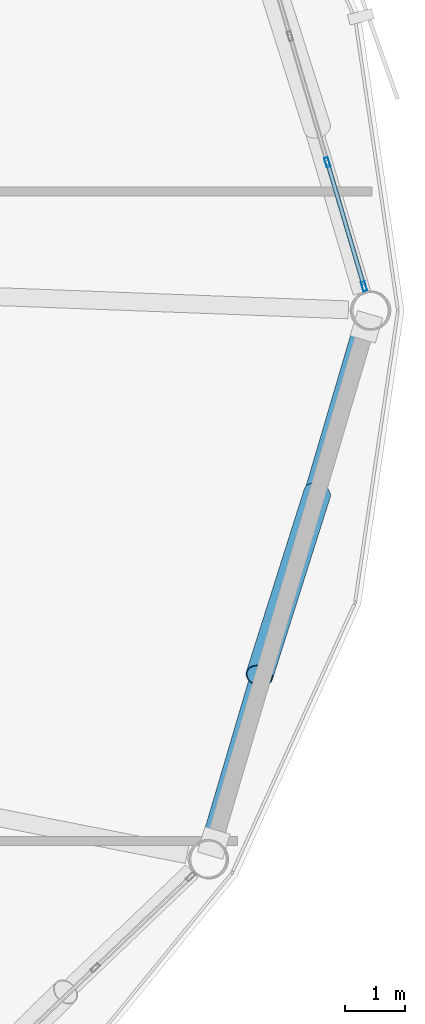
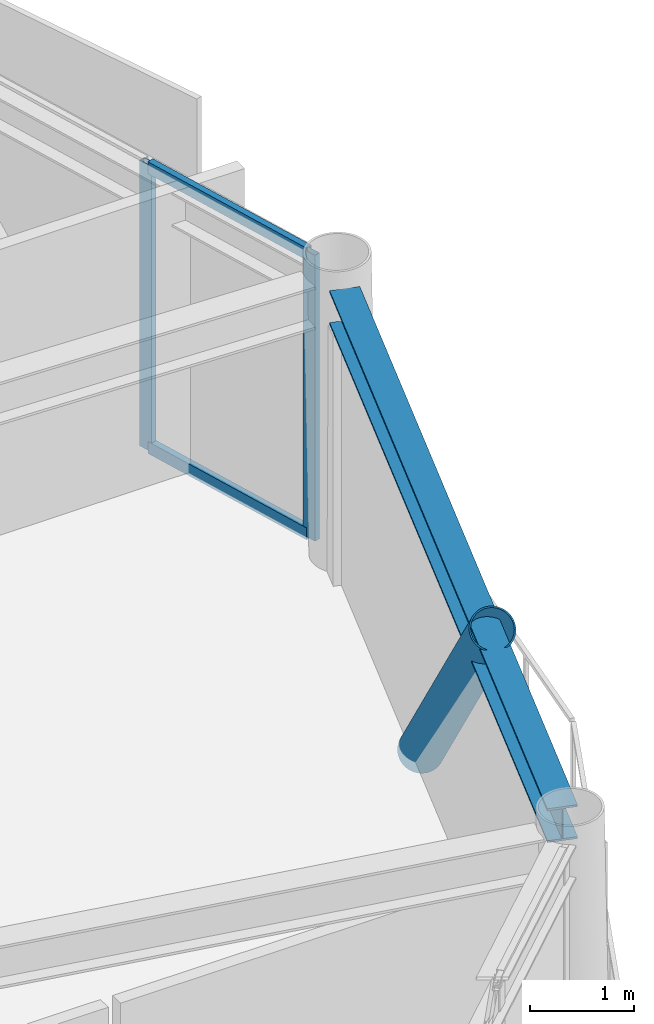
# One storey, part 16 of 28: 5 members, 1 beam, 1 element without a shape of its own.
"""IFC4 building model written with IfcOpenShell, lengths in metres."""

from ifc_helpers import new_model, si_unit, direction, frame, origin, origin_2d, place, context, subcontext, project, spatial, hollow_rectangle, hollow_circle, i_section, extrude, material, layer, layer_set, material_profile, profile_set, type_object, element, aggregate, save


model = new_model("IFC4")

# Units and contexts
model_context = context("Model", 3, precision=1e-05, world=origin(), true_north=direction((0.0, 1.0)))
body_context = subcontext(model_context, "Body", "Model", "MODEL_VIEW")
ifc_project = project(units=[si_unit("LENGTHUNIT", "METRE"), si_unit("AREAUNIT", "SQUARE_METRE"), si_unit("VOLUMEUNIT", "CUBIC_METRE"), si_unit("PLANEANGLEUNIT", "RADIAN"), si_unit("MASSUNIT", "GRAM", prefix="KILO")], contexts=[model_context])

# Site, building, storey
site_placement = place(None, origin())
site = spatial("IfcSite", under=ifc_project, at=site_placement, CompositionType="ELEMENT")
building_placement = place(site_placement, origin())
building = spatial("IfcBuilding", under=site, at=building_placement, Name="Varnakorn Sky Granary", CompositionType="ELEMENT")
storey_placement = place(building_placement, frame((0.0, 0.0, 196.800048828125)))
storey = spatial("IfcBuildingStorey", under=building, at=storey_placement, Name="L49", CompositionType="ELEMENT", Elevation=196.800048828125)

# Beam
ifc_material_1 = material(Name="Steel S355JR", Category="steel")
ifc_material_profile_1 = material_profile(ifc_material_1, i_section(OverallWidth=0.300048828125, OverallDepth=0.39990234375, WebThickness=0.013427734375, FlangeThickness=0.02392578125, at=origin_2d()), Name="HE 400 B")
ifc_profile_set_1 = profile_set([ifc_material_profile_1], Name="Steel S355JR")
beam_type = type_object("IfcBeamType", Name="BM-SPD-Z4", PredefinedType="SPANDREL", material=ifc_profile_set_1)
beam_placement = place(storey_placement, frame((21.602294921875, -8.886962890625, 3.159912109375), z_axis=(0.283136334563, 0.959079671378, 0.0), x_axis=(-0.959079671378, 0.283136334563, 0.0)))
element("IfcBeam", 1, at=beam_placement, inside=storey, type_object=beam_type, Name="Perimeter Spandrel Ring Beam RB12 L49", PredefinedType="SPANDREL", context=body_context, shape_type="SweptSolid", body=[
    extrude(i_section(OverallWidth=0.300048828125, OverallDepth=0.39990234375, WebThickness=0.013427734375, FlangeThickness=0.02392578125, at=origin_2d()), origin(), (0.0, 0.0, 1.0), 8.951171875),
])

# Curtain wall, members
ifc_material_2 = material(Name="Anodised Bronze Aluminium Alloy 6063-T6", Category="aluminium")
ifc_layer = layer(ifc_material_2, 0.169921875, Name="Anodised Bronze Aluminium Alloy 6063-T6")
ifc_layer_set = layer_set([ifc_layer], Name="Anodised Bronze Aluminium Alloy 6063-T6")
curtain_wall_type = type_object("IfcCurtainWallType", Name="CW-LAB-1", PredefinedType="USERDEFINED", material=ifc_layer_set)
curtain_wall_placement = place(storey_placement, origin())
curtain_wall = element("IfcCurtainWall", 2, at=curtain_wall_placement, inside=storey, type_object=curtain_wall_type, Name="Unitised Curtain Wall CW5 CW-L49-B01", ObjectType="CURTAIN WALL", PredefinedType="USERDEFINED")
ifc_material_profile_2 = material_profile(ifc_material_2, hollow_rectangle(XDim=0.06494140625, YDim=0.159912109375, WallThickness=0.00341796875, at=origin_2d()), Name="ALU MULL 65x160")
ifc_profile_set_2 = profile_set([ifc_material_profile_2], Name="Anodised Bronze Aluminium Alloy 6063-T6")
member_type_1 = type_object("IfcMemberType", Name="CW-LAB-1-MULL", PredefinedType="MULLION", material=ifc_profile_set_2)
member_1_placement = place(storey_placement, frame((23.55810546875, 2.488525390625, 0.0), z_axis=(0.0, 0.0, 1.0), x_axis=(0.958963914964, 0.283528146394, 0.0)))
member_1 = element("IfcMember", 3, at=member_1_placement, type_object=member_type_1, Name="CW5 mullion 4", PredefinedType="MULLION", context=body_context, shape_type="SweptSolid", body=[
    extrude(hollow_rectangle(XDim=0.06494140625, YDim=0.159912109375, WallThickness=0.00341796875, at=origin_2d()), origin(), (0.0, 0.0, 1.0), 3.35986328125),
])
member_2_placement = place(storey_placement, frame((24.174072265625, 0.4052734375, 0.0), z_axis=(0.0, 0.0, 1.0), x_axis=(0.958963914964, 0.283528146394, 0.0)))
member_2 = element("IfcMember", 4, at=member_2_placement, type_object=member_type_1, Name="CW5 mullion 5", PredefinedType="MULLION", context=body_context, shape_type="SweptSolid", body=[
    extrude(hollow_rectangle(XDim=0.06494140625, YDim=0.159912109375, WallThickness=0.00341796875, at=origin_2d()), origin(), (0.0, 0.0, 1.0), 3.35986328125),
])
ifc_material_profile_3 = material_profile(ifc_material_2, hollow_rectangle(XDim=0.070068359375, YDim=0.139892578125, WallThickness=0.00341796875, at=origin_2d()), Name="ALU TRAN 70x140")
ifc_profile_set_3 = profile_set([ifc_material_profile_3], Name="Anodised Bronze Aluminium Alloy 6063-T6")
member_type_2 = type_object("IfcMemberType", Name="CW-LAB-1-TRAN", PredefinedType="USERDEFINED", material=ifc_profile_set_3)
member_3_placement = place(storey_placement, frame((23.5673828125, 2.457275390625, 0.034912109375), z_axis=(0.283583431444, -0.958947567602, 0.0), x_axis=(0.958947567602, 0.283583431444, 0.0)))
member_3 = element("IfcMember", 5, at=member_3_placement, type_object=member_type_2, Name="CW5 transom 4.1", ObjectType="TRANSOM", PredefinedType="USERDEFINED", context=body_context, shape_type="SweptSolid", body=[
    extrude(hollow_rectangle(XDim=0.070068359375, YDim=0.139892578125, WallThickness=0.00341796875, at=origin_2d()), origin(), (0.0, 0.0, 1.0), 2.107421875),
])
member_4_placement = place(storey_placement, frame((23.5673828125, 2.457275390625, 3.324951171875), z_axis=(0.283583431444, -0.958947567602, 0.0), x_axis=(0.958947567602, 0.283583431444, 0.0)))
member_4 = element("IfcMember", 6, at=member_4_placement, type_object=member_type_2, Name="CW5 transom 4.2", ObjectType="TRANSOM", PredefinedType="USERDEFINED", context=body_context, shape_type="SweptSolid", body=[
    extrude(hollow_rectangle(XDim=0.070068359375, YDim=0.139892578125, WallThickness=0.00341796875, at=origin_2d()), origin(), (0.0, 0.0, 1.0), 2.107421875),
])
aggregate(curtain_wall, [member_1, member_2, member_3, member_4])

# Member
ifc_material_3 = material(Name="Steel S460M", Category="steel")
ifc_material_profile_4 = material_profile(ifc_material_3, hollow_circle(Radius=0.228515625, WallThickness=0.01611328125, at=origin_2d()), Name="CHS 457x16")
ifc_profile_set_4 = profile_set([ifc_material_profile_4], Name="Steel S460M")
member_type_3 = type_object("IfcMemberType", Name="MB-DIAG-T3", PredefinedType="BRACE", material=ifc_profile_set_4)
member_5_placement = place(storey_placement, frame((23.38671875, -3.068603515625, -0.130126953125), z_axis=(-0.200398752192, -0.63213943922, 0.748491863351), x_axis=(0.95324614839, -0.302194938043, 0.0)))
element("IfcMember", 7, at=member_5_placement, inside=storey, type_object=member_type_3, Name="Perimeter CHS Diagrid Brace DG12 L49", PredefinedType="BRACE", context=body_context, shape_type="SweptSolid", body=[
    extrude(hollow_circle(Radius=0.228515625, WallThickness=0.01611328125, at=origin_2d()), origin(), (0.0, 0.0, 1.0), 4.836669921875),
])

save(model, "model.ifc")
